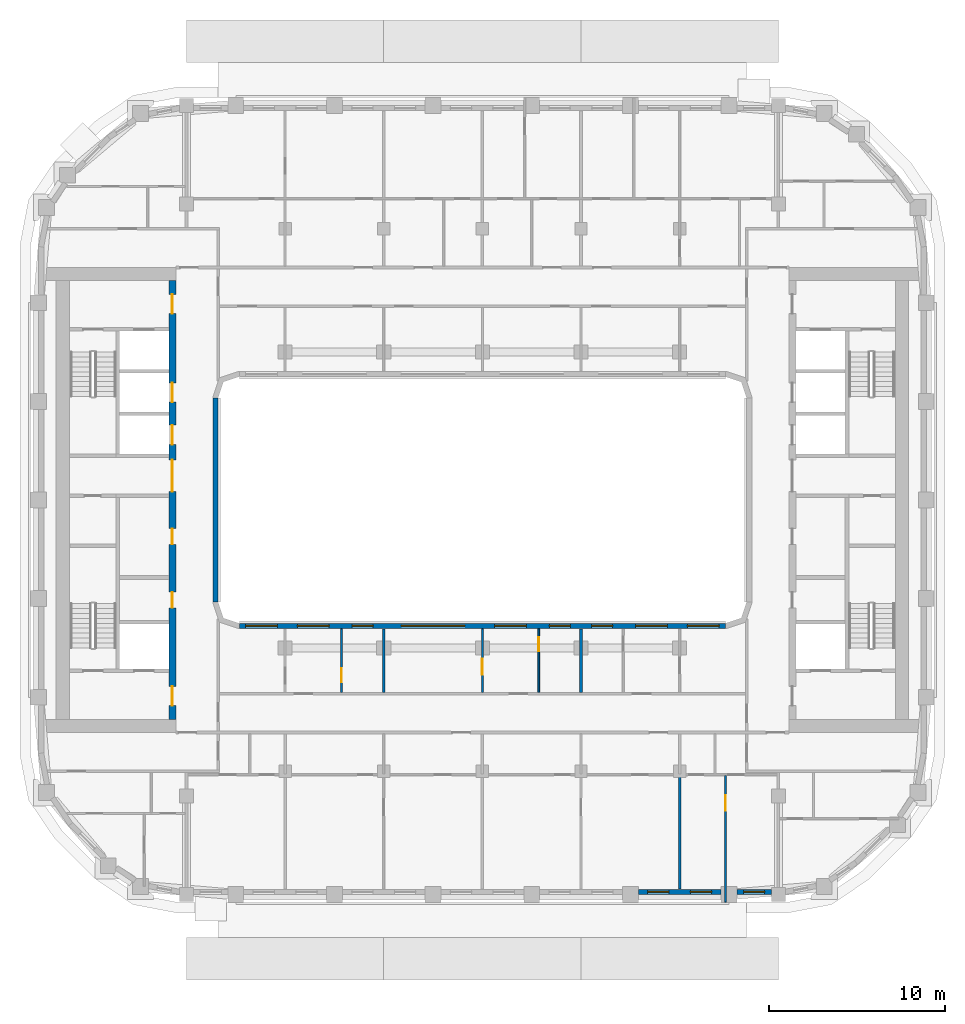
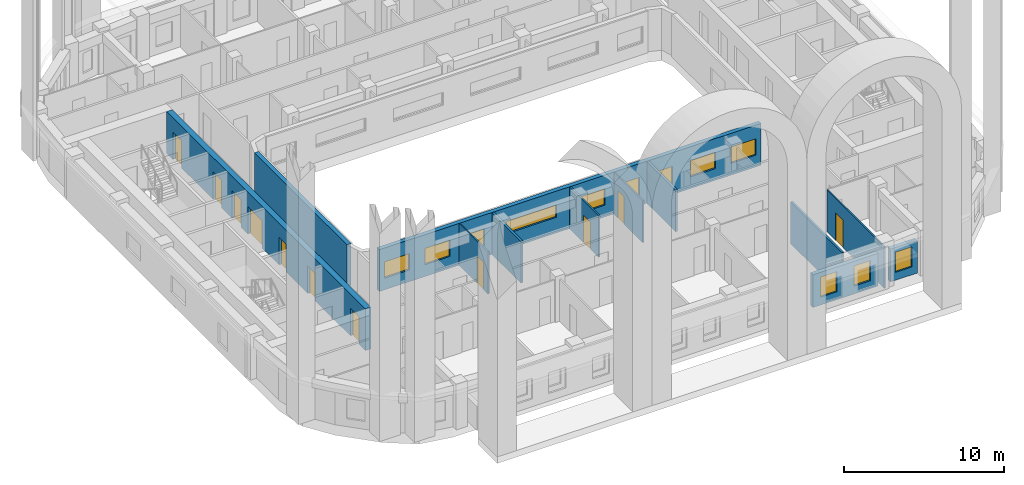
# One storey, part 4 of 20: 12 walls, 12 windows, 11 doors, 23 openings.
"""IFC4 building model written with IfcOpenShell, lengths in metres."""

from ifc_helpers import new_model, si_unit, direction, frame, frame_2d, origin, place, context, subcontext, project, spatial, rectangle, extrude, material, layer, layer_set, type_object, element, fill, save


model = new_model("IFC4")

# Units and contexts
model_context = context("Model", 3, precision=1e-05, world=origin(), true_north=direction((0.0, 1.0)))
body_context = subcontext(model_context, "Body", "Model", "MODEL_VIEW")
ifc_project = project(units=[si_unit("LENGTHUNIT", "METRE"), si_unit("AREAUNIT", "SQUARE_METRE"), si_unit("VOLUMEUNIT", "CUBIC_METRE"), si_unit("PLANEANGLEUNIT", "RADIAN"), si_unit("MASSUNIT", "GRAM", prefix="KILO")], contexts=[model_context])

# Site, building, storey
site_placement = place(None, origin())
site = spatial("IfcSite", under=ifc_project, at=site_placement, CompositionType="ELEMENT")
building_placement = place(site_placement, origin())
building = spatial("IfcBuilding", under=site, at=building_placement, Name="Kiln Ring Residences", CompositionType="ELEMENT")
storey_placement = place(building_placement, frame((0.0, 0.0, 188.89990234375)))
storey = spatial("IfcBuildingStorey", under=building, at=storey_placement, Name="L48", CompositionType="ELEMENT", Elevation=188.89990234375)

# Wall, openings, doors
ifc_material_1 = material(Name="Concrete C60/75", Category="concrete")
ifc_layer_1 = layer(ifc_material_1, 0.39990234375)
ifc_layer_set_1 = layer_set([ifc_layer_1], Name="CORE-WALL-RC400")
wall_type_1 = type_object("IfcWallType", Name="CORE-WALL-RC400", PredefinedType="SHEAR", material=ifc_layer_set_1)
wall_1_placement = place(storey_placement, frame((-17.60009765625, -12.449951171875, 0.0), z_axis=(0.0, 0.0, 1.0), x_axis=(0.0, 1.0, 0.0)))
wall_1 = element("IfcWall", 1, at=wall_1_placement, inside=storey, type_object=wall_type_1, Name="Core wall west L48 6", PredefinedType="SHEAR", context=body_context, shape_type="SweptSolid", body=[
    extrude(rectangle(XDim=24.89990234375, YDim=0.39990234375, at=frame_2d((12.449951171875, 0.0))), origin(), (0.0, 0.0, 1.0), 3.2001953125),
])
opening_1_placement = place(wall_1_placement, frame((6.324951171875, 0.0, 0.0)))
opening_1 = element("IfcOpeningElement", 2, at=opening_1_placement, cuts=wall_1, Name="Opening L48-CW02", PredefinedType="OPENING", context=body_context, shape_type="SweptSolid", body=[
    extrude(rectangle(XDim=0.89990234375, YDim=2.10009765625, at=frame_2d((0.449951171875, 1.050048828125))), frame((0.0, 0.2099609375, 0.0), z_axis=(0.0, -1.0, 0.0), x_axis=(1.0, 0.0, 0.0)), (0.0, 0.0, 1.0), 0.419921875),
])
opening_2_placement = place(wall_1_placement, frame((9.925048828125, 0.0, 0.0)))
opening_2 = element("IfcOpeningElement", 3, at=opening_2_placement, cuts=wall_1, Name="Opening L48-CW03", PredefinedType="OPENING", context=body_context, shape_type="SweptSolid", body=[
    extrude(rectangle(XDim=0.89990234375, YDim=2.10009765625, at=frame_2d((0.449951171875, 1.050048828125))), frame((0.0, 0.2099609375, 0.0), z_axis=(0.0, -1.0, 0.0), x_axis=(1.0, 0.0, 0.0)), (0.0, 0.0, 1.0), 0.419921875),
])
opening_3_placement = place(wall_1_placement, frame((15.60009765625, 0.0, 0.0)))
opening_3 = element("IfcOpeningElement", 4, at=opening_3_placement, cuts=wall_1, Name="Opening L48-CW04", PredefinedType="OPENING", context=body_context, shape_type="SweptSolid", body=[
    extrude(rectangle(XDim=1.10009765625, YDim=2.10009765625, at=frame_2d((0.550048828125, 1.050048828125))), frame((0.0, 0.2099609375, 0.0), z_axis=(0.0, -1.0, 0.0), x_axis=(1.0, 0.0, 0.0)), (0.0, 0.0, 1.0), 0.419921875),
])
opening_4_placement = place(wall_1_placement, frame((18.0, 0.0, 0.0)))
opening_4 = element("IfcOpeningElement", 5, at=opening_4_placement, cuts=wall_1, Name="Opening L48-CW05", PredefinedType="OPENING", context=body_context, shape_type="SweptSolid", body=[
    extrude(rectangle(XDim=1.10009765625, YDim=2.10009765625, at=frame_2d((0.550048828125, 1.050048828125))), frame((0.0, 0.2099609375, 0.0), z_axis=(0.0, -1.0, 0.0), x_axis=(1.0, 0.0, 0.0)), (0.0, 0.0, 1.0), 0.419921875),
])
opening_5_placement = place(wall_1_placement, frame((23.02490234375, 0.0, 0.0)))
opening_5 = element("IfcOpeningElement", 6, at=opening_5_placement, cuts=wall_1, Name="Opening L48-CW07", PredefinedType="OPENING", context=body_context, shape_type="SweptSolid", body=[
    extrude(rectangle(XDim=1.10009765625, YDim=2.10009765625, at=frame_2d((0.550048828125, 1.050048828125))), frame((0.0, 0.2099609375, 0.0), z_axis=(0.0, -1.0, 0.0), x_axis=(1.0, 0.0, 0.0)), (0.0, 0.0, 1.0), 0.419921875),
])
opening_6_placement = place(wall_1_placement, frame((0.77490234375, 0.0, 0.0)))
opening_6 = element("IfcOpeningElement", 7, at=opening_6_placement, cuts=wall_1, Name="Opening L48-CW08", PredefinedType="OPENING", context=body_context, shape_type="SweptSolid", body=[
    extrude(rectangle(XDim=1.10009765625, YDim=2.10009765625, at=frame_2d((0.550048828125, 1.050048828125))), frame((0.0, 0.2099609375, 0.0), z_axis=(0.0, -1.0, 0.0), x_axis=(1.0, 0.0, 0.0)), (0.0, 0.0, 1.0), 0.419921875),
])
opening_7_placement = place(wall_1_placement, frame((12.925048828125, 0.0, 0.0)))
opening_7 = element("IfcOpeningElement", 8, at=opening_7_placement, cuts=wall_1, Name="Opening L48-CW11", PredefinedType="OPENING", context=body_context, shape_type="SweptSolid", body=[
    extrude(rectangle(XDim=1.800048828125, YDim=2.10009765625, at=frame_2d((0.89990234375, 1.050048828125))), frame((0.0, 0.2099609375, 0.0), z_axis=(0.0, -1.0, 0.0), x_axis=(1.0, 0.0, 0.0)), (0.0, 0.0, 1.0), 0.419921875),
])
ifc_material_2 = material(Name="Steel door leaf", Category="steel")
door_type_1 = type_object("IfcDoorType", Name="CORE-DOOR-LD", OperationType="DOUBLE_DOOR_SLIDING", PredefinedType="DOOR", material=ifc_material_2)
door_1_placement = place(opening_3_placement, origin())
door_1 = element("IfcDoor", 9, at=door_1_placement, inside=storey, type_object=door_type_1, Name="LD W-M1 L48-CW04", OperationType="DOUBLE_DOOR_SLIDING", OverallHeight=2.10009765625, OverallWidth=1.10009765625, PredefinedType="DOOR", context=body_context, shape_type="SweptSolid", body=[
    extrude(rectangle(XDim=1.10009765625, YDim=2.10009765625, at=frame_2d((0.550048828125, 1.050048828125))), frame((0.0, 0.02490234375, 0.0), z_axis=(0.0, -1.0, 0.0), x_axis=(1.0, 0.0, 0.0)), (0.0, 0.0, 1.0), 0.050048828125),
])
fill(opening_3, door_1)
door_2_placement = place(opening_4_placement, origin())
door_2 = element("IfcDoor", 10, at=door_2_placement, inside=storey, type_object=door_type_1, Name="LD W-M2 L48-CW05", OperationType="DOUBLE_DOOR_SLIDING", OverallHeight=2.10009765625, OverallWidth=1.10009765625, PredefinedType="DOOR", context=body_context, shape_type="SweptSolid", body=[
    extrude(rectangle(XDim=1.10009765625, YDim=2.10009765625, at=frame_2d((0.550048828125, 1.050048828125))), frame((0.0, 0.02490234375, 0.0), z_axis=(0.0, -1.0, 0.0), x_axis=(1.0, 0.0, 0.0)), (0.0, 0.0, 1.0), 0.050048828125),
])
fill(opening_4, door_2)
ifc_material_3 = material(Name="Steel door leaf", Category="steel")
door_type_2 = type_object("IfcDoorType", Name="CORE-DOOR-LOBBY", OperationType="SINGLE_SWING_LEFT", PredefinedType="DOOR", material=ifc_material_3)
door_3_placement = place(opening_5_placement, origin())
door_3 = element("IfcDoor", 11, at=door_3_placement, inside=storey, type_object=door_type_2, Name="FFL L48-CW07", OperationType="SINGLE_SWING_RIGHT", OverallHeight=2.10009765625, OverallWidth=1.10009765625, PredefinedType="DOOR", context=body_context, shape_type="SweptSolid", body=[
    extrude(rectangle(XDim=1.10009765625, YDim=2.10009765625, at=frame_2d((0.550048828125, 1.050048828125))), frame((0.0, 0.02490234375, 0.0), z_axis=(0.0, -1.0, 0.0), x_axis=(1.0, 0.0, 0.0)), (0.0, 0.0, 1.0), 0.050048828125),
])
fill(opening_5, door_3)
door_4_placement = place(opening_6_placement, origin())
door_4 = element("IfcDoor", 12, at=door_4_placement, inside=storey, type_object=door_type_2, Name="SVL L48-CW08", OperationType="SINGLE_SWING_LEFT", OverallHeight=2.10009765625, OverallWidth=1.10009765625, PredefinedType="DOOR", context=body_context, shape_type="SweptSolid", body=[
    extrude(rectangle(XDim=1.10009765625, YDim=2.10009765625, at=frame_2d((0.550048828125, 1.050048828125))), frame((0.0, 0.02490234375, 0.0), z_axis=(0.0, -1.0, 0.0), x_axis=(1.0, 0.0, 0.0)), (0.0, 0.0, 1.0), 0.050048828125),
])
fill(opening_6, door_4)
ifc_material_4 = material(Name="Steel door leaf", Category="steel")
door_type_3 = type_object("IfcDoorType", Name="CORE-DOOR-PASS", OperationType="DOUBLE_DOOR_SINGLE_SWING", PredefinedType="DOOR", material=ifc_material_4)
door_5_placement = place(opening_7_placement, origin())
door_5 = element("IfcDoor", 13, at=door_5_placement, inside=storey, type_object=door_type_3, Name="Core passage L48-CW11", OperationType="DOUBLE_DOOR_SINGLE_SWING", OverallHeight=2.10009765625, OverallWidth=1.800048828125, PredefinedType="DOOR", context=body_context, shape_type="SweptSolid", body=[
    extrude(rectangle(XDim=1.800048828125, YDim=2.10009765625, at=frame_2d((0.89990234375, 1.050048828125))), frame((0.0, 0.02490234375, 0.0), z_axis=(0.0, -1.0, 0.0), x_axis=(1.0, 0.0, 0.0)), (0.0, 0.0, 1.0), 0.050048828125),
])
fill(opening_7, door_5)
ifc_material_5 = material(Name="Steel door leaf", Category="steel")
door_type_4 = type_object("IfcDoorType", Name="CORE-DOOR-ROOM", OperationType="SINGLE_SWING_LEFT", PredefinedType="DOOR", material=ifc_material_5)
door_6_placement = place(opening_1_placement, origin())
door_6 = element("IfcDoor", 14, at=door_6_placement, inside=storey, type_object=door_type_4, Name="Goods store L48-CW02", OperationType="SINGLE_SWING_RIGHT", OverallHeight=2.10009765625, OverallWidth=0.89990234375, PredefinedType="DOOR", context=body_context, shape_type="SweptSolid", body=[
    extrude(rectangle(XDim=0.89990234375, YDim=2.10009765625, at=frame_2d((0.449951171875, 1.050048828125))), frame((0.0, 0.02490234375, 0.0), z_axis=(0.0, -1.0, 0.0), x_axis=(1.0, 0.0, 0.0)), (0.0, 0.0, 1.0), 0.050048828125),
])
fill(opening_1, door_6)
door_7_placement = place(opening_2_placement, origin())
door_7 = element("IfcDoor", 15, at=door_7_placement, inside=storey, type_object=door_type_4, Name="Storage room L48-CW03", OperationType="SINGLE_SWING_LEFT", OverallHeight=2.10009765625, OverallWidth=0.89990234375, PredefinedType="DOOR", context=body_context, shape_type="SweptSolid", body=[
    extrude(rectangle(XDim=0.89990234375, YDim=2.10009765625, at=frame_2d((0.449951171875, 1.050048828125))), frame((0.0, 0.02490234375, 0.0), z_axis=(0.0, -1.0, 0.0), x_axis=(1.0, 0.0, 0.0)), (0.0, 0.0, 1.0), 0.050048828125),
])
fill(opening_2, door_7)

# Wall, openings, windows
ifc_material_6 = material(Name="Brick masonry, dark clay brick", Category="masonry")
ifc_layer_2 = layer(ifc_material_6, 0.300048828125)
ifc_layer_set_2 = layer_set([ifc_layer_2], Name="EW-300 BRICK WALL")
wall_type_2 = type_object("IfcWallType", Name="EW-300 BRICK WALL", PredefinedType="SOLIDWALL", material=ifc_layer_set_2)
wall_2_placement = place(storey_placement, frame((8.85009765625, -22.25, 0.0), z_axis=(0.0, 0.0, 1.0), x_axis=(1.0, 0.0, 0.0)))
wall_2 = element("IfcWall", 16, at=wall_2_placement, inside=storey, type_object=wall_type_2, Name="Facade wall L48 9", PredefinedType="SOLIDWALL", context=body_context, shape_type="SweptSolid", body=[
    extrude(rectangle(XDim=4.699951171875, YDim=0.300048828125, at=frame_2d((2.35009765625, 0.0))), origin(), (0.0, 0.0, 1.0), 2.5),
])
opening_8_placement = place(wall_2_placement, frame((0.53759765625, 0.0, 0.60009765625)))
opening_8 = element("IfcOpeningElement", 17, at=opening_8_placement, cuts=wall_2, Name="Opening W1", PredefinedType="OPENING", context=body_context, shape_type="SweptSolid", body=[
    extrude(rectangle(XDim=1.199951171875, YDim=1.550048828125, at=frame_2d((0.60009765625, 0.77490234375))), frame((0.0, 0.159912109375, 0.0), z_axis=(0.0, -1.0, 0.0), x_axis=(1.0, 0.0, 0.0)), (0.0, 0.0, 1.0), 0.320068359375),
])
opening_9_placement = place(wall_2_placement, frame((2.96240234375, 0.0, 0.60009765625)))
opening_9 = element("IfcOpeningElement", 18, at=opening_9_placement, cuts=wall_2, Name="Opening W1", PredefinedType="OPENING", context=body_context, shape_type="SweptSolid", body=[
    extrude(rectangle(XDim=1.199951171875, YDim=1.550048828125, at=frame_2d((0.60009765625, 0.77490234375))), frame((0.0, 0.159912109375, 0.0), z_axis=(0.0, -1.0, 0.0), x_axis=(1.0, 0.0, 0.0)), (0.0, 0.0, 1.0), 0.320068359375),
])
ifc_material_7 = material(Name="Aluminium frame with double glazing", Category="aluminium")
window_type_1 = type_object("IfcWindowType", Name="WINDOW 1200 x 1550", PartitioningType="SINGLE_PANEL", PredefinedType="WINDOW", material=ifc_material_7)
window_1_placement = place(opening_8_placement, origin())
window_1 = element("IfcWindow", 19, at=window_1_placement, inside=storey, type_object=window_type_1, Name="Window L48 12", OverallHeight=1.550048828125, OverallWidth=1.199951171875, PartitioningType="SINGLE_PANEL", PredefinedType="WINDOW", context=body_context, shape_type="SweptSolid", body=[
    extrude(rectangle(XDim=1.199951171875, YDim=1.550048828125, at=frame_2d((0.60009765625, 0.77490234375))), frame((0.0, 0.030029296875, 0.0), z_axis=(0.0, -1.0, 0.0), x_axis=(1.0, 0.0, 0.0)), (0.0, 0.0, 1.0), 0.06005859375),
])
fill(opening_8, window_1)
window_2_placement = place(opening_9_placement, origin())
window_2 = element("IfcWindow", 20, at=window_2_placement, inside=storey, type_object=window_type_1, Name="Window L48 13", OverallHeight=1.550048828125, OverallWidth=1.199951171875, PartitioningType="SINGLE_PANEL", PredefinedType="WINDOW", context=body_context, shape_type="SweptSolid", body=[
    extrude(rectangle(XDim=1.199951171875, YDim=1.550048828125, at=frame_2d((0.60009765625, 0.77490234375))), frame((0.0, 0.030029296875, 0.0), z_axis=(0.0, -1.0, 0.0), x_axis=(1.0, 0.0, 0.0)), (0.0, 0.0, 1.0), 0.06005859375),
])
fill(opening_9, window_2)

# Wall, opening, window
wall_3_placement = place(storey_placement, frame((14.449951171875, -22.25, 0.0), z_axis=(0.0, 0.0, 1.0), x_axis=(1.0, 0.0, 0.0)))
wall_3 = element("IfcWall", 21, at=wall_3_placement, inside=storey, type_object=wall_type_2, Name="Facade wall L48 10", PredefinedType="SOLIDWALL", context=body_context, shape_type="SweptSolid", body=[
    extrude(rectangle(XDim=1.949951171875, YDim=0.300048828125, at=frame_2d((0.97509765625, 0.0))), origin(), (0.0, 0.0, 1.0), 2.5),
])
opening_10_placement = place(wall_3_placement, frame((0.375, 0.0, 0.60009765625)))
opening_10 = element("IfcOpeningElement", 22, at=opening_10_placement, cuts=wall_3, Name="Opening W1", PredefinedType="OPENING", context=body_context, shape_type="SweptSolid", body=[
    extrude(rectangle(XDim=1.199951171875, YDim=1.550048828125, at=frame_2d((0.60009765625, 0.77490234375))), frame((0.0, 0.159912109375, 0.0), z_axis=(0.0, -1.0, 0.0), x_axis=(1.0, 0.0, 0.0)), (0.0, 0.0, 1.0), 0.320068359375),
])
window_3_placement = place(opening_10_placement, origin())
window_3 = element("IfcWindow", 23, at=window_3_placement, inside=storey, type_object=window_type_1, Name="Window L48 14", OverallHeight=1.550048828125, OverallWidth=1.199951171875, PartitioningType="SINGLE_PANEL", PredefinedType="WINDOW", context=body_context, shape_type="SweptSolid", body=[
    extrude(rectangle(XDim=1.199951171875, YDim=1.550048828125, at=frame_2d((0.60009765625, 0.77490234375))), frame((0.0, 0.030029296875, 0.0), z_axis=(0.0, -1.0, 0.0), x_axis=(1.0, 0.0, 0.0)), (0.0, 0.0, 1.0), 0.06005859375),
])
fill(opening_10, window_3)

# Wall
wall_4_placement = place(storey_placement, frame((-15.14990234375, -5.800048828125, 0.0), z_axis=(0.0, 0.0, 1.0), x_axis=(0.0, 1.0, 0.0)))
element("IfcWall", 24, at=wall_4_placement, inside=storey, type_object=wall_type_2, Name="Facade wall L48 47", PredefinedType="SOLIDWALL", context=body_context, shape_type="SweptSolid", body=[
    extrude(rectangle(XDim=11.60009765625, YDim=0.300048828125, at=frame_2d((5.800048828125, 0.0))), origin(), (0.0, 0.0, 1.0), 3.2001953125),
])

# Wall, openings, windows
wall_5_placement = place(storey_placement, frame((13.800048828125, -7.14990234375, 0.0), z_axis=(0.0, 0.0, 1.0), x_axis=(-1.0, 0.0, 0.0)))
wall_5 = element("IfcWall", 25, at=wall_5_placement, inside=storey, type_object=wall_type_2, Name="Facade wall L48 50", PredefinedType="SOLIDWALL", context=body_context, shape_type="SweptSolid", body=[
    extrude(rectangle(XDim=27.60009765625, YDim=0.300048828125, at=frame_2d((13.800048828125, 0.0))), origin(), (0.0, 0.0, 1.0), 3.2001953125),
])
opening_11_placement = place(wall_5_placement, frame((0.362548828125, 0.0, 0.89990234375)))
opening_11 = element("IfcOpeningElement", 26, at=opening_11_placement, cuts=wall_5, Name="Opening W2", PredefinedType="OPENING", context=body_context, shape_type="SweptSolid", body=[
    extrude(rectangle(XDim=1.800048828125, YDim=1.25, at=frame_2d((0.89990234375, 0.625))), frame((0.0, 0.159912109375, 0.0), z_axis=(0.0, -1.0, 0.0), x_axis=(1.0, 0.0, 0.0)), (0.0, 0.0, 1.0), 0.320068359375),
])
opening_12_placement = place(wall_5_placement, frame((3.300048828125, 0.0, 0.89990234375)))
opening_12 = element("IfcOpeningElement", 27, at=opening_12_placement, cuts=wall_5, Name="Opening W2", PredefinedType="OPENING", context=body_context, shape_type="SweptSolid", body=[
    extrude(rectangle(XDim=1.800048828125, YDim=1.25, at=frame_2d((0.89990234375, 0.625))), frame((0.0, 0.159912109375, 0.0), z_axis=(0.0, -1.0, 0.0), x_axis=(1.0, 0.0, 0.0)), (0.0, 0.0, 1.0), 0.320068359375),
])
opening_13_placement = place(wall_5_placement, frame((6.39990234375, 0.0, 0.60009765625)))
opening_13 = element("IfcOpeningElement", 28, at=opening_13_placement, cuts=wall_5, Name="Opening W1", PredefinedType="OPENING", context=body_context, shape_type="SweptSolid", body=[
    extrude(rectangle(XDim=1.199951171875, YDim=1.550048828125, at=frame_2d((0.60009765625, 0.77490234375))), frame((0.0, 0.159912109375, 0.0), z_axis=(0.0, -1.0, 0.0), x_axis=(1.0, 0.0, 0.0)), (0.0, 0.0, 1.0), 0.320068359375),
])
opening_14_placement = place(wall_5_placement, frame((8.800048828125, 0.0, 0.60009765625)))
opening_14 = element("IfcOpeningElement", 29, at=opening_14_placement, cuts=wall_5, Name="Opening W1", PredefinedType="OPENING", context=body_context, shape_type="SweptSolid", body=[
    extrude(rectangle(XDim=1.199951171875, YDim=1.550048828125, at=frame_2d((0.60009765625, 0.77490234375))), frame((0.0, 0.159912109375, 0.0), z_axis=(0.0, -1.0, 0.0), x_axis=(1.0, 0.0, 0.0)), (0.0, 0.0, 1.0), 0.320068359375),
])
opening_15_placement = place(wall_5_placement, frame((11.300048828125, 0.0, 0.89990234375)))
opening_15 = element("IfcOpeningElement", 30, at=opening_15_placement, cuts=wall_5, Name="Opening W2", PredefinedType="OPENING", context=body_context, shape_type="SweptSolid", body=[
    extrude(rectangle(XDim=1.800048828125, YDim=1.25, at=frame_2d((0.89990234375, 0.625))), frame((0.0, 0.159912109375, 0.0), z_axis=(0.0, -1.0, 0.0), x_axis=(1.0, 0.0, 0.0)), (0.0, 0.0, 1.0), 0.320068359375),
])
opening_16_placement = place(wall_5_placement, frame((14.800048828125, 0.0, 1.199951171875)))
opening_16 = element("IfcOpeningElement", 31, at=opening_16_placement, cuts=wall_5, Name="Opening W4", PredefinedType="OPENING", context=body_context, shape_type="SweptSolid", body=[
    extrude(rectangle(XDim=3.60009765625, YDim=0.949951171875, at=frame_2d((1.800048828125, 0.47509765625))), frame((0.0, 0.159912109375, 0.0), z_axis=(0.0, -1.0, 0.0), x_axis=(1.0, 0.0, 0.0)), (0.0, 0.0, 1.0), 0.320068359375),
])
opening_17_placement = place(wall_5_placement, frame((20.0, 0.0, 0.60009765625)))
opening_17 = element("IfcOpeningElement", 32, at=opening_17_placement, cuts=wall_5, Name="Opening W1", PredefinedType="OPENING", context=body_context, shape_type="SweptSolid", body=[
    extrude(rectangle(XDim=1.199951171875, YDim=1.550048828125, at=frame_2d((0.60009765625, 0.77490234375))), frame((0.0, 0.159912109375, 0.0), z_axis=(0.0, -1.0, 0.0), x_axis=(1.0, 0.0, 0.0)), (0.0, 0.0, 1.0), 0.320068359375),
])
opening_18_placement = place(wall_5_placement, frame((22.5, 0.0, 0.89990234375)))
opening_18 = element("IfcOpeningElement", 33, at=opening_18_placement, cuts=wall_5, Name="Opening W2", PredefinedType="OPENING", context=body_context, shape_type="SweptSolid", body=[
    extrude(rectangle(XDim=1.800048828125, YDim=1.25, at=frame_2d((0.89990234375, 0.625))), frame((0.0, 0.159912109375, 0.0), z_axis=(0.0, -1.0, 0.0), x_axis=(1.0, 0.0, 0.0)), (0.0, 0.0, 1.0), 0.320068359375),
])
opening_19_placement = place(wall_5_placement, frame((25.4375, 0.0, 0.89990234375)))
opening_19 = element("IfcOpeningElement", 34, at=opening_19_placement, cuts=wall_5, Name="Opening W2", PredefinedType="OPENING", context=body_context, shape_type="SweptSolid", body=[
    extrude(rectangle(XDim=1.800048828125, YDim=1.25, at=frame_2d((0.89990234375, 0.625))), frame((0.0, 0.159912109375, 0.0), z_axis=(0.0, -1.0, 0.0), x_axis=(1.0, 0.0, 0.0)), (0.0, 0.0, 1.0), 0.320068359375),
])
window_4_placement = place(opening_13_placement, origin())
window_4 = element("IfcWindow", 35, at=window_4_placement, inside=storey, type_object=window_type_1, Name="Window L48 43", OverallHeight=1.550048828125, OverallWidth=1.199951171875, PartitioningType="SINGLE_PANEL", PredefinedType="WINDOW", context=body_context, shape_type="SweptSolid", body=[
    extrude(rectangle(XDim=1.199951171875, YDim=1.550048828125, at=frame_2d((0.60009765625, 0.77490234375))), frame((0.0, 0.030029296875, 0.0), z_axis=(0.0, -1.0, 0.0), x_axis=(1.0, 0.0, 0.0)), (0.0, 0.0, 1.0), 0.06005859375),
])
fill(opening_13, window_4)
window_5_placement = place(opening_14_placement, origin())
window_5 = element("IfcWindow", 36, at=window_5_placement, inside=storey, type_object=window_type_1, Name="Window L48 44", OverallHeight=1.550048828125, OverallWidth=1.199951171875, PartitioningType="SINGLE_PANEL", PredefinedType="WINDOW", context=body_context, shape_type="SweptSolid", body=[
    extrude(rectangle(XDim=1.199951171875, YDim=1.550048828125, at=frame_2d((0.60009765625, 0.77490234375))), frame((0.0, 0.030029296875, 0.0), z_axis=(0.0, -1.0, 0.0), x_axis=(1.0, 0.0, 0.0)), (0.0, 0.0, 1.0), 0.06005859375),
])
fill(opening_14, window_5)
window_6_placement = place(opening_17_placement, origin())
window_6 = element("IfcWindow", 37, at=window_6_placement, inside=storey, type_object=window_type_1, Name="Window L48 47", OverallHeight=1.550048828125, OverallWidth=1.199951171875, PartitioningType="SINGLE_PANEL", PredefinedType="WINDOW", context=body_context, shape_type="SweptSolid", body=[
    extrude(rectangle(XDim=1.199951171875, YDim=1.550048828125, at=frame_2d((0.60009765625, 0.77490234375))), frame((0.0, 0.030029296875, 0.0), z_axis=(0.0, -1.0, 0.0), x_axis=(1.0, 0.0, 0.0)), (0.0, 0.0, 1.0), 0.06005859375),
])
fill(opening_17, window_6)
ifc_material_8 = material(Name="Aluminium frame with double glazing", Category="aluminium")
window_type_2 = type_object("IfcWindowType", Name="WINDOW 1800 x 1250", PartitioningType="SINGLE_PANEL", PredefinedType="WINDOW", material=ifc_material_8)
window_7_placement = place(opening_11_placement, origin())
window_7 = element("IfcWindow", 38, at=window_7_placement, inside=storey, type_object=window_type_2, Name="Window L48 41", OverallHeight=1.25, OverallWidth=1.800048828125, PartitioningType="SINGLE_PANEL", PredefinedType="WINDOW", context=body_context, shape_type="SweptSolid", body=[
    extrude(rectangle(XDim=1.800048828125, YDim=1.25, at=frame_2d((0.89990234375, 0.625))), frame((0.0, 0.030029296875, 0.0), z_axis=(0.0, -1.0, 0.0), x_axis=(1.0, 0.0, 0.0)), (0.0, 0.0, 1.0), 0.06005859375),
])
fill(opening_11, window_7)
window_8_placement = place(opening_12_placement, origin())
window_8 = element("IfcWindow", 39, at=window_8_placement, inside=storey, type_object=window_type_2, Name="Window L48 42", OverallHeight=1.25, OverallWidth=1.800048828125, PartitioningType="SINGLE_PANEL", PredefinedType="WINDOW", context=body_context, shape_type="SweptSolid", body=[
    extrude(rectangle(XDim=1.800048828125, YDim=1.25, at=frame_2d((0.89990234375, 0.625))), frame((0.0, 0.030029296875, 0.0), z_axis=(0.0, -1.0, 0.0), x_axis=(1.0, 0.0, 0.0)), (0.0, 0.0, 1.0), 0.06005859375),
])
fill(opening_12, window_8)
window_9_placement = place(opening_15_placement, origin())
window_9 = element("IfcWindow", 40, at=window_9_placement, inside=storey, type_object=window_type_2, Name="Window L48 45", OverallHeight=1.25, OverallWidth=1.800048828125, PartitioningType="SINGLE_PANEL", PredefinedType="WINDOW", context=body_context, shape_type="SweptSolid", body=[
    extrude(rectangle(XDim=1.800048828125, YDim=1.25, at=frame_2d((0.89990234375, 0.625))), frame((0.0, 0.030029296875, 0.0), z_axis=(0.0, -1.0, 0.0), x_axis=(1.0, 0.0, 0.0)), (0.0, 0.0, 1.0), 0.06005859375),
])
fill(opening_15, window_9)
window_10_placement = place(opening_18_placement, origin())
window_10 = element("IfcWindow", 41, at=window_10_placement, inside=storey, type_object=window_type_2, Name="Window L48 48", OverallHeight=1.25, OverallWidth=1.800048828125, PartitioningType="SINGLE_PANEL", PredefinedType="WINDOW", context=body_context, shape_type="SweptSolid", body=[
    extrude(rectangle(XDim=1.800048828125, YDim=1.25, at=frame_2d((0.89990234375, 0.625))), frame((0.0, 0.030029296875, 0.0), z_axis=(0.0, -1.0, 0.0), x_axis=(1.0, 0.0, 0.0)), (0.0, 0.0, 1.0), 0.06005859375),
])
fill(opening_18, window_10)
window_11_placement = place(opening_19_placement, origin())
window_11 = element("IfcWindow", 42, at=window_11_placement, inside=storey, type_object=window_type_2, Name="Window L48 49", OverallHeight=1.25, OverallWidth=1.800048828125, PartitioningType="SINGLE_PANEL", PredefinedType="WINDOW", context=body_context, shape_type="SweptSolid", body=[
    extrude(rectangle(XDim=1.800048828125, YDim=1.25, at=frame_2d((0.89990234375, 0.625))), frame((0.0, 0.030029296875, 0.0), z_axis=(0.0, -1.0, 0.0), x_axis=(1.0, 0.0, 0.0)), (0.0, 0.0, 1.0), 0.06005859375),
])
fill(opening_19, window_11)
ifc_material_9 = material(Name="Aluminium frame with double glazing", Category="aluminium")
window_type_3 = type_object("IfcWindowType", Name="WINDOW 3600 x 950", PartitioningType="SINGLE_PANEL", PredefinedType="WINDOW", material=ifc_material_9)
window_12_placement = place(opening_16_placement, origin())
window_12 = element("IfcWindow", 43, at=window_12_placement, inside=storey, type_object=window_type_3, Name="Window L48 46", OverallHeight=0.949951171875, OverallWidth=3.60009765625, PartitioningType="SINGLE_PANEL", PredefinedType="WINDOW", context=body_context, shape_type="SweptSolid", body=[
    extrude(rectangle(XDim=3.60009765625, YDim=0.949951171875, at=frame_2d((1.800048828125, 0.47509765625))), frame((0.0, 0.030029296875, 0.0), z_axis=(0.0, -1.0, 0.0), x_axis=(1.0, 0.0, 0.0)), (0.0, 0.0, 1.0), 0.06005859375),
])
fill(opening_16, window_12)

# Wall, opening, door
ifc_material_10 = material(Name="Gypsum board on steel studs", Category="steel")
ifc_layer_3 = layer(ifc_material_10, 0.10009765625)
ifc_layer_set_3 = layer_set([ifc_layer_3], Name="PARTITION-100")
wall_type_3 = type_object("IfcWallType", Name="PARTITION-100", PredefinedType="PARTITIONING", material=ifc_layer_set_3)
wall_6_placement = place(storey_placement, frame((-8.0, -10.925048828125, 0.0), z_axis=(0.0, 0.0, 1.0), x_axis=(0.0, 1.0, 0.0)))
wall_6 = element("IfcWall", 44, at=wall_6_placement, inside=storey, type_object=wall_type_3, Name="Partition 030", PredefinedType="PARTITIONING", context=body_context, shape_type="SweptSolid", body=[
    extrude(rectangle(XDim=3.60498046875, YDim=0.10009765625, at=frame_2d((1.802490234375, 0.0))), origin(), (0.0, 0.0, 1.0), 3.2001953125),
])
opening_20_placement = place(wall_6_placement, frame((0.575927734375, 0.0, 0.0)))
opening_20 = element("IfcOpeningElement", 45, at=opening_20_placement, cuts=wall_6, Name="Opening L48-D039", PredefinedType="OPENING", context=body_context, shape_type="SweptSolid", body=[
    extrude(rectangle(XDim=0.800048828125, YDim=2.10009765625, at=frame_2d((0.39990234375, 1.050048828125))), frame((0.0, 0.06005859375, 0.0), z_axis=(0.0, -1.0, 0.0), x_axis=(1.0, 0.0, 0.0)), (0.0, 0.0, 1.0), 0.1201171875),
])
ifc_material_11 = material(Name="Timber door leaf", Category="wood")
door_type_5 = type_object("IfcDoorType", Name="FLAT-DOOR-800-PL", OperationType="SINGLE_SWING_LEFT", PredefinedType="DOOR", material=ifc_material_11)
door_8_placement = place(opening_20_placement, origin())
door_8 = element("IfcDoor", 46, at=door_8_placement, inside=storey, type_object=door_type_5, Name="Door L48-D039", OperationType="SINGLE_SWING_LEFT", OverallHeight=2.10009765625, OverallWidth=0.800048828125, PredefinedType="DOOR", context=body_context, shape_type="SweptSolid", body=[
    extrude(rectangle(XDim=0.800048828125, YDim=2.10009765625, at=frame_2d((0.39990234375, 1.050048828125))), frame((0.0, 0.02490234375, 0.0), z_axis=(0.0, -1.0, 0.0), x_axis=(1.0, 0.0, 0.0)), (0.0, 0.0, 1.0), 0.050048828125),
])
fill(opening_20, door_8)

wall_7_placement = place(storey_placement, frame((0.0, -10.925048828125, 0.0), z_axis=(0.0, 0.0, 1.0), x_axis=(0.0, 1.0, 0.0)))
wall_7 = element("IfcWall", 47, at=wall_7_placement, inside=storey, type_object=wall_type_3, Name="Partition 038", PredefinedType="PARTITIONING", context=body_context, shape_type="SweptSolid", body=[
    extrude(rectangle(XDim=3.60498046875, YDim=0.10009765625, at=frame_2d((1.802490234375, 0.0))), origin(), (0.0, 0.0, 1.0), 3.2001953125),
])
opening_21_placement = place(wall_7_placement, frame((1.0048828125, 0.0, 0.0)))
opening_21 = element("IfcOpeningElement", 48, at=opening_21_placement, cuts=wall_7, Name="Opening L48-D043", PredefinedType="OPENING", context=body_context, shape_type="SweptSolid", body=[
    extrude(rectangle(XDim=0.89990234375, YDim=2.10009765625, at=frame_2d((0.449951171875, 1.050048828125))), frame((0.0, 0.06005859375, 0.0), z_axis=(0.0, -1.0, 0.0), x_axis=(1.0, 0.0, 0.0)), (0.0, 0.0, 1.0), 0.1201171875),
])
ifc_material_12 = material(Name="Timber door leaf", Category="wood")
door_type_6 = type_object("IfcDoorType", Name="FLAT-DOOR-900-PL", OperationType="SINGLE_SWING_LEFT", PredefinedType="DOOR", material=ifc_material_12)
door_9_placement = place(opening_21_placement, origin())
door_9 = element("IfcDoor", 49, at=door_9_placement, inside=storey, type_object=door_type_6, Name="Door L48-D043", OperationType="SINGLE_SWING_RIGHT", OverallHeight=2.10009765625, OverallWidth=0.89990234375, PredefinedType="DOOR", context=body_context, shape_type="SweptSolid", body=[
    extrude(rectangle(XDim=0.89990234375, YDim=2.10009765625, at=frame_2d((0.449951171875, 1.050048828125))), frame((0.0, 0.02490234375, 0.0), z_axis=(0.0, -1.0, 0.0), x_axis=(1.0, 0.0, 0.0)), (0.0, 0.0, 1.0), 0.050048828125),
])
fill(opening_21, door_9)

wall_8_placement = place(storey_placement, frame((3.199951171875, -10.925048828125, 0.0), z_axis=(0.0, 0.0, 1.0), x_axis=(0.0, 1.0, 0.0)))
wall_8 = element("IfcWall", 50, at=wall_8_placement, inside=storey, type_object=wall_type_3, Name="Partition 046", PredefinedType="PARTITIONING", context=body_context, shape_type="SweptSolid", body=[
    extrude(rectangle(XDim=3.60498046875, YDim=0.10009765625, at=frame_2d((1.802490234375, 0.0))), origin(), (0.0, 0.0, 1.0), 3.2001953125),
])
opening_22_placement = place(wall_8_placement, frame((2.325927734375, 0.0, 0.0)))
opening_22 = element("IfcOpeningElement", 51, at=opening_22_placement, cuts=wall_8, Name="Opening L48-D042", PredefinedType="OPENING", context=body_context, shape_type="SweptSolid", body=[
    extrude(rectangle(XDim=0.800048828125, YDim=2.10009765625, at=frame_2d((0.39990234375, 1.050048828125))), frame((0.0, 0.06005859375, 0.0), z_axis=(0.0, -1.0, 0.0), x_axis=(1.0, 0.0, 0.0)), (0.0, 0.0, 1.0), 0.1201171875),
])
door_10_placement = place(opening_22_placement, origin())
door_10 = element("IfcDoor", 52, at=door_10_placement, inside=storey, type_object=door_type_5, Name="Door L48-D042", OperationType="SINGLE_SWING_RIGHT", OverallHeight=2.10009765625, OverallWidth=0.800048828125, PredefinedType="DOOR", context=body_context, shape_type="SweptSolid", body=[
    extrude(rectangle(XDim=0.800048828125, YDim=2.10009765625, at=frame_2d((0.39990234375, 1.050048828125))), frame((0.0, 0.02490234375, 0.0), z_axis=(0.0, -1.0, 0.0), x_axis=(1.0, 0.0, 0.0)), (0.0, 0.0, 1.0), 0.050048828125),
])
fill(opening_22, door_10)

wall_9_placement = place(storey_placement, frame((13.800048828125, -22.830078125, 0.0), z_axis=(0.0, 0.0, 1.0), x_axis=(0.0, 1.0, 0.0)))
wall_9 = element("IfcWall", 53, at=wall_9_placement, inside=storey, type_object=wall_type_3, Name="Partition 062", PredefinedType="PARTITIONING", context=body_context, shape_type="SweptSolid", body=[
    extrude(rectangle(XDim=7.18017578125, YDim=0.10009765625, at=frame_2d((3.590087890625, 0.0))), origin(), (0.0, 0.0, 1.0), 3.2001953125),
])
opening_23_placement = place(wall_9_placement, frame((5.179931640625, 0.0, 0.0)))
opening_23 = element("IfcOpeningElement", 54, at=opening_23_placement, cuts=wall_9, Name="Opening L48-D061", PredefinedType="OPENING", context=body_context, shape_type="SweptSolid", body=[
    extrude(rectangle(XDim=0.89990234375, YDim=2.10009765625, at=frame_2d((0.449951171875, 1.050048828125))), frame((0.0, 0.06005859375, 0.0), z_axis=(0.0, -1.0, 0.0), x_axis=(1.0, 0.0, 0.0)), (0.0, 0.0, 1.0), 0.1201171875),
])
door_11_placement = place(opening_23_placement, origin())
door_11 = element("IfcDoor", 55, at=door_11_placement, inside=storey, type_object=door_type_6, Name="Door L48-D061", OperationType="SINGLE_SWING_LEFT", OverallHeight=2.10009765625, OverallWidth=0.89990234375, PredefinedType="DOOR", context=body_context, shape_type="SweptSolid", body=[
    extrude(rectangle(XDim=0.89990234375, YDim=2.10009765625, at=frame_2d((0.449951171875, 1.050048828125))), frame((0.0, 0.02490234375, 0.0), z_axis=(0.0, -1.0, 0.0), x_axis=(1.0, 0.0, 0.0)), (0.0, 0.0, 1.0), 0.050048828125),
])
fill(opening_23, door_11)

# Walls
ifc_material_13 = material(Name="Brick masonry partition", Category="masonry")
ifc_layer_4 = layer(ifc_material_13, 0.14990234375)
ifc_layer_set_4 = layer_set([ifc_layer_4], Name="PARTITION-150-ei60")
wall_type_4 = type_object("IfcWallType", Name="PARTITION-150-ei60", PredefinedType="PARTITIONING", material=ifc_layer_set_4)
for number, where, z_axis, x_axis, name in (
    (56, (-5.60009765625, -10.925048828125, 0.0), (0.0, 0.0, 1.0), (0.0, 1.0, 0.0), "Partition 034"),
    (57, (5.60009765625, -10.925048828125, 0.0), (0.0, 0.0, 1.0), (0.0, 1.0, 0.0), "Partition 050"),
):
    element("IfcWall", number, at=place(storey_placement, frame(where, z_axis=z_axis, x_axis=x_axis)), inside=storey, type_object=wall_type_4, Name=name, PredefinedType="PARTITIONING", context=body_context, shape_type="SweptSolid", body=[
        extrude(rectangle(XDim=3.60498046875, YDim=0.14990234375, at=frame_2d((1.802490234375, 0.0))), origin(), (0.0, 0.0, 1.0), 3.2001953125),
    ])
wall_10_placement = place(storey_placement, frame((11.199951171875, -22.080078125, 0.0), z_axis=(0.0, 0.0, 1.0), x_axis=(0.0, 1.0, 0.0)))
element("IfcWall", 58, at=wall_10_placement, inside=storey, type_object=wall_type_4, Name="Partition 059", PredefinedType="PARTITIONING", context=body_context, shape_type="SweptSolid", body=[
    extrude(rectangle(XDim=6.43017578125, YDim=0.14990234375, at=frame_2d((3.215087890625, 0.0))), origin(), (0.0, 0.0, 1.0), 3.2001953125),
])

save(model, "model.ifc")
